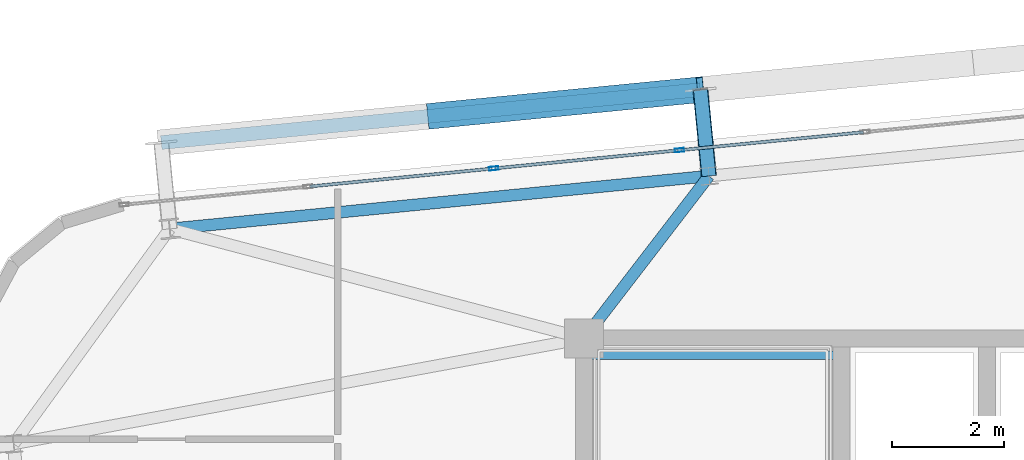
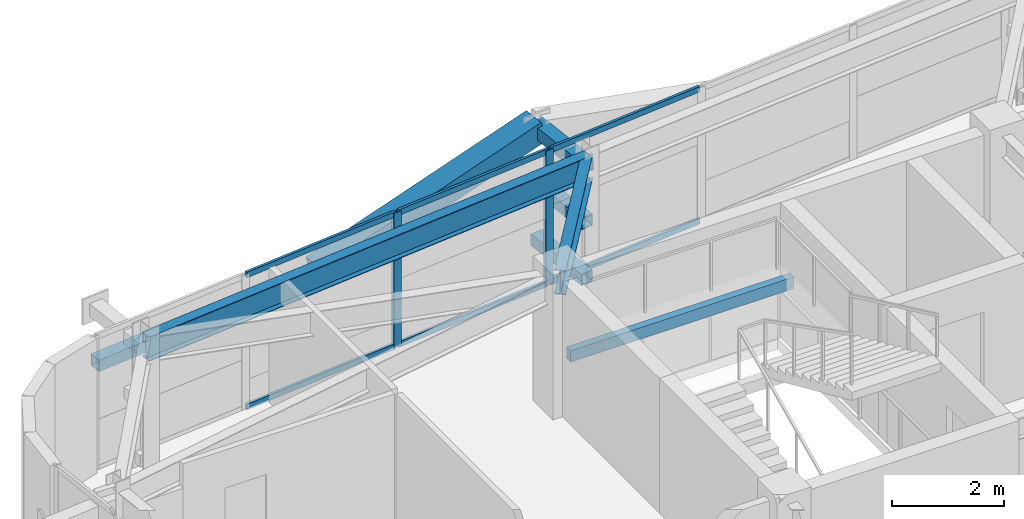
# One storey, part 28 of 52: 13 members, 3 beams, 1 element without a shape of its own.
"""IFC4 building model written with IfcOpenShell, lengths in metres."""

from ifc_helpers import new_model, si_unit, direction, frame, origin, origin_2d, place, context, subcontext, project, spatial, hollow_rectangle, i_section, extrude, source, transform, mapped, material, layer, layer_set, material_profile, profile_set, type_object, element, aggregate, save


model = new_model("IFC4")

# Units and contexts
model_context = context("Model", 3, precision=1e-05, world=origin(), true_north=direction((0.0, 1.0)))
body_context = subcontext(model_context, "Body", "Model", "MODEL_VIEW")
ifc_project = project(units=[si_unit("LENGTHUNIT", "METRE"), si_unit("AREAUNIT", "SQUARE_METRE"), si_unit("VOLUMEUNIT", "CUBIC_METRE"), si_unit("PLANEANGLEUNIT", "RADIAN"), si_unit("MASSUNIT", "GRAM", prefix="KILO")], contexts=[model_context])

# Site, building, storey
site_placement = place(None, origin())
site = spatial("IfcSite", under=ifc_project, at=site_placement, CompositionType="ELEMENT")
building_placement = place(site_placement, origin())
building = spatial("IfcBuilding", under=site, at=building_placement, Name="Taldren Reach Tower", CompositionType="ELEMENT")
storey_placement = place(building_placement, frame((0.0, 0.0, 74.550048828125)))
storey = spatial("IfcBuildingStorey", under=building, at=storey_placement, Name="L22", CompositionType="ELEMENT", Elevation=74.550048828125)

# Beams
ifc_material_1 = material(Name="Steel Gr 350 (350PLUS)", Category="steel")
ifc_material_profile_1 = material_profile(ifc_material_1, i_section(OverallWidth=0.208984375, OverallDepth=0.528076171875, WebThickness=0.009521484375, FlangeThickness=0.01318359375, at=origin_2d()), Name="530UB82.0")
ifc_profile_set_1 = profile_set([ifc_material_profile_1], Name="Steel Gr 350 (350PLUS)")
beam_type_1 = type_object("IfcBeamType", Name="SP-UB530B", PredefinedType="SPANDREL", material=ifc_profile_set_1)
shared_shape_1 = source(origin(), body_context, "Body", "SweptSolid", [
    extrude(i_section(OverallWidth=0.208984375, OverallDepth=0.528076171875, WebThickness=0.009521484375, FlangeThickness=0.01318359375, at=origin_2d()), origin(), (0.0, 0.0, 1.0), 9.679931640625),
])
beam_1_placement = place(storey_placement, frame((21.230712890625, 34.9013671875, 2.666015625), z_axis=(-0.995227612658, -0.097580730699, 0.0), x_axis=(0.097580730699, -0.995227612658, 0.0)))
element("IfcBeam", 1, at=beam_1_placement, inside=storey, type_object=beam_type_1, Name="Perimeter spandrel B2 N2-N1 L22", PredefinedType="SPANDREL", context=body_context, shape_type="MappedRepresentation", body=[
    mapped(shared_shape_1, transform((0.0, 0.0, 0.0), scale=1.0)),
])
ifc_material_profile_2 = material_profile(ifc_material_1, i_section(OverallWidth=0.208984375, OverallDepth=0.532958984375, WebThickness=0.01025390625, FlangeThickness=0.015625, at=origin_2d()), Name="530UB92.4")
ifc_profile_set_2 = profile_set([ifc_material_profile_2], Name="Steel Gr 350 (350PLUS)")
beam_type_2 = type_object("IfcBeamType", Name="BM-UB530A", PredefinedType="BEAM", material=ifc_profile_set_2)
shared_shape_2 = source(origin(), body_context, "Body", "SweptSolid", [
    extrude(i_section(OverallWidth=0.208984375, OverallDepth=0.532958984375, WebThickness=0.01025390625, FlangeThickness=0.015625, at=origin_2d()), origin(), (0.0, 0.0, 1.0), 3.65966796875),
])
beam_2_placement = place(storey_placement, frame((19.0, 32.0, 2.663330078125), z_axis=(0.609520535722, 0.792770279799, 0.0), x_axis=(-0.792770279799, 0.609520535722, 0.0)))
element("IfcBeam", 2, at=beam_2_placement, inside=storey, type_object=beam_type_2, Name="Primary floor girder B2-N2 L22", PredefinedType="BEAM", context=body_context, shape_type="MappedRepresentation", body=[
    mapped(shared_shape_2, transform((0.0, 0.0, 0.0), scale=1.0)),
])

# Members
ifc_material_2 = material(Name="Steel Gr 450 (C450L0)", Category="steel")
ifc_material_profile_3 = material_profile(ifc_material_2, hollow_rectangle(XDim=0.27490234375, YDim=0.27490234375, WallThickness=0.00927734375, at=origin_2d()), Name="275x275x9.3SHS")
ifc_profile_set_3 = profile_set([ifc_material_profile_3], Name="Steel Gr 450 (C450L0)")
member_type_1 = type_object("IfcMemberType", Name="MB-TIE273", PredefinedType="STRUT", material=ifc_profile_set_3)
shared_shape_3 = source(origin(), body_context, "Body", "SweptSolid", [
    extrude(hollow_rectangle(XDim=0.27490234375, YDim=0.27490234375, WallThickness=0.00927734375, at=origin_2d()), origin(), (0.0, 0.0, 1.0), 1.550048828125),
])
member_1_placement = place(storey_placement, frame((21.230712890625, 34.9013671875, 2.64990234375), z_axis=(-0.097647892962, 0.9952210252, 0.0), x_axis=(-0.9952210252, -0.097647892962, 0.0)))
element("IfcMember", 3, at=member_1_placement, inside=storey, type_object=member_type_1, Name="Exoskeleton diaphragm tie strut B2-N2 L22", PredefinedType="STRUT", context=body_context, shape_type="MappedRepresentation", body=[
    mapped(shared_shape_3, transform((0.0, 0.0, 0.0), scale=1.0)),
])
ifc_material_profile_4 = material_profile(ifc_material_2, hollow_rectangle(XDim=0.4599609375, YDim=0.4599609375, WallThickness=0.01611328125, at=origin_2d()), Name="460x460x16.0SHS")
ifc_profile_set_4 = profile_set([ifc_material_profile_4], Name="Steel Gr 450 (C450L0)")
member_type_2 = type_object("IfcMemberType", Name="MB-EXO457", PredefinedType="BRACE", material=ifc_profile_set_4)
shared_shape_4 = source(origin(), body_context, "Body", "SweptSolid", [
    extrude(hollow_rectangle(XDim=0.4599609375, YDim=0.4599609375, WallThickness=0.01611328125, at=origin_2d()), origin(), (0.0, 0.0, 1.0), 4.990234375),
])
member_2_placement = place(storey_placement, frame((16.262451171875, 35.9716796875, 1.43505859375), z_axis=(0.965282554799, 0.094669120301, 0.243448859234), x_axis=(-0.097605711627, 0.995225162995, 0.0)))
element("IfcMember", 4, at=member_2_placement, inside=storey, type_object=member_type_2, Name="Exoskeleton Diagrid Brace B2-N1 L22", PredefinedType="BRACE", context=body_context, shape_type="MappedRepresentation", body=[
    mapped(shared_shape_4, transform((0.0, 0.0, 0.0), scale=1.0)),
])
ifc_material_3 = material(Name="Steel Gr 350 (C350L0)", Category="steel")
ifc_material_profile_5 = material_profile(ifc_material_3, hollow_rectangle(XDim=0.25, YDim=0.25, WallThickness=0.010009765625, at=origin_2d()), Name="250x250x10.0SHS")
ifc_profile_set_5 = profile_set([ifc_material_profile_5], Name="Steel Gr 350 (C350L0)")
member_type_3 = type_object("IfcMemberType", Name="MB-POST250", PredefinedType="POST", material=ifc_profile_set_5)
shared_shape_5 = source(origin(), body_context, "Body", "SweptSolid", [
    extrude(hollow_rectangle(XDim=0.25, YDim=0.25, WallThickness=0.010009765625, at=origin_2d()), origin(), (0.0, 0.0, 1.0), 9.679931640625),
])
member_3_placement = place(storey_placement, frame((11.445556640625, 35.49951171875, 1.43505859375), z_axis=(0.995227612658, 0.097580730699, 0.0), x_axis=(-0.097580730699, 0.995227612658, 0.0)))
element("IfcMember", 5, at=member_3_placement, inside=storey, type_object=member_type_3, Name="Exoskeleton mid-height ring chord B2-N1 L22", PredefinedType="POST", context=body_context, shape_type="MappedRepresentation", body=[
    mapped(shared_shape_5, transform((0.0, 0.0, 0.0), scale=1.0)),
])
shared_shape_6 = source(origin(), body_context, "Body", "SweptSolid", [
    extrude(hollow_rectangle(XDim=0.25, YDim=0.25, WallThickness=0.010009765625, at=origin_2d()), origin(), (0.0, 0.0, 1.0), 1.550048828125),
])
for number, where, z_axis, x_axis, name in (
    (6, (21.230712890625, 34.9013671875, 0.219970703125), (-0.097647892962, 0.9952210252, 0.0), (-0.9952210252, -0.097647892962, 0.0), "Exoskeleton base diaphragm tie strut B2-N2 L22"),
    (7, (21.230712890625, 34.9013671875, 1.43505859375), (-0.097647892962, 0.9952210252, 0.0), (-0.9952210252, -0.097647892962, 0.0), "Exoskeleton mid-tier diaphragm tie B2-N2 L22"),
):
    element("IfcMember", number, at=place(storey_placement, frame(where, z_axis=z_axis, x_axis=x_axis)), inside=storey, type_object=member_type_3, Name=name, PredefinedType="POST", context=body_context, shape_type="MappedRepresentation", body=[
        mapped(shared_shape_6, transform((0.0, 0.0, 0.0), scale=1.0)),
    ])

# Curtain wall, members
ifc_material_4 = material(Name="Aluminium and Low-E Glass Unitised System", Category="aluminium")
ifc_layer = layer(ifc_material_4, 0.159912109375)
ifc_layer_set = layer_set([ifc_layer], Name="Aluminium and Low-E Glass Unitised System")
curtain_wall_type = type_object("IfcCurtainWallType", Name="CW-SYS-3", PredefinedType="NOTDEFINED", material=ifc_layer_set)
curtain_wall_placement = place(storey_placement, origin())
curtain_wall = element("IfcCurtainWall", 8, at=curtain_wall_placement, inside=storey, type_object=curtain_wall_type, Name="Unitised curtain wall CW-L22-N", PredefinedType="NOTDEFINED")
ifc_material_5 = material(Name="Anodised Aluminium 6063-T6", Category="aluminium")
ifc_material_profile_6 = material_profile(ifc_material_5, hollow_rectangle(XDim=0.06494140625, YDim=0.1650390625, WallThickness=0.00390625, at=origin_2d()), Name="ALU-165x65x4RHS")
ifc_profile_set_6 = profile_set([ifc_material_profile_6], Name="Anodised Aluminium 6063-T6")
member_type_4 = type_object("IfcMemberType", Name="CW-MUL-165", PredefinedType="MULLION", material=ifc_profile_set_6)
shared_shape_7 = source(origin(), body_context, "Body", "SweptSolid", [
    extrude(hollow_rectangle(XDim=0.06494140625, YDim=0.1650390625, WallThickness=0.00390625, at=origin_2d()), origin(), (0.0, 0.0, 1.0), 2.929931640625),
])
member_4_placement = place(storey_placement, frame((20.703125, 35.3623046875, 0.0), z_axis=(0.0, 0.0, 1.0), x_axis=(0.097582999046, -0.995227390247, 0.0)))
member_4 = element("IfcMember", 9, at=member_4_placement, type_object=member_type_4, Name="CW-3 mullion 13", PredefinedType="MULLION", context=body_context, shape_type="MappedRepresentation", body=[
    mapped(shared_shape_7, transform((0.0, 0.0, 0.0), scale=1.0)),
])
member_5_placement = place(storey_placement, frame((17.3857421875, 35.036865234375, 0.0), z_axis=(0.0, 0.0, 1.0), x_axis=(0.097582999046, -0.995227390247, 0.0)))
member_5 = element("IfcMember", 10, at=member_5_placement, type_object=member_type_4, Name="CW-3 mullion 14", PredefinedType="MULLION", context=body_context, shape_type="MappedRepresentation", body=[
    mapped(shared_shape_7, transform((0.0, 0.0, 0.0), scale=1.0)),
])
ifc_material_profile_7 = material_profile(ifc_material_5, hollow_rectangle(XDim=0.054931640625, YDim=0.1201171875, WallThickness=0.0029296875, at=origin_2d()), Name="ALU-120x55x3RHS")
ifc_profile_set_7 = profile_set([ifc_material_profile_7], Name="Anodised Aluminium 6063-T6")
member_type_5 = type_object("IfcMemberType", Name="CW-TRN-135", PredefinedType="USERDEFINED", material=ifc_profile_set_7)
shared_shape_8 = source(origin(), body_context, "Body", "SweptSolid", [
    extrude(hollow_rectangle(XDim=0.054931640625, YDim=0.1201171875, WallThickness=0.0029296875, at=origin_2d()), origin(), (0.0, 0.0, 1.0), 3.268310546875),
])
member_6_placement = place(storey_placement, frame((23.98828125, 35.684326171875, 0.02734375), z_axis=(-0.99522980512, -0.097558367146, 0.0), x_axis=(0.097558367146, -0.99522980512, 0.0)))
member_6 = element("IfcMember", 11, at=member_6_placement, type_object=member_type_5, Name="CW-3 transom 12.1", ObjectType="TRANSOM", PredefinedType="USERDEFINED", context=body_context, shape_type="MappedRepresentation", body=[
    mapped(shared_shape_8, transform((0.0, 0.0, 0.0), scale=1.0)),
])
member_7_placement = place(storey_placement, frame((23.98828125, 35.684326171875, 2.90234375), z_axis=(-0.99522980512, -0.097558367146, 0.0), x_axis=(0.097558367146, -0.99522980512, 0.0)))
member_7 = element("IfcMember", 12, at=member_7_placement, type_object=member_type_5, Name="CW-3 transom 12.2", ObjectType="TRANSOM", PredefinedType="USERDEFINED", context=body_context, shape_type="MappedRepresentation", body=[
    mapped(shared_shape_8, transform((0.0, 0.0, 0.0), scale=1.0)),
])
member_8_placement = place(storey_placement, frame((17.353271484375, 35.03369140625, 0.02734375), z_axis=(-0.99522980512, -0.097558367146, 0.0), x_axis=(0.097558367146, -0.99522980512, 0.0)))
member_8 = element("IfcMember", 13, at=member_8_placement, type_object=member_type_5, Name="CW-3 transom 14.1", ObjectType="TRANSOM", PredefinedType="USERDEFINED", context=body_context, shape_type="MappedRepresentation", body=[
    mapped(shared_shape_8, transform((0.0, 0.0, 0.0), scale=1.0)),
])
member_9_placement = place(storey_placement, frame((17.353271484375, 35.03369140625, 2.90234375), z_axis=(-0.99522980512, -0.097558367146, 0.0), x_axis=(0.097558367146, -0.99522980512, 0.0)))
member_9 = element("IfcMember", 14, at=member_9_placement, type_object=member_type_5, Name="CW-3 transom 14.2", ObjectType="TRANSOM", PredefinedType="USERDEFINED", context=body_context, shape_type="MappedRepresentation", body=[
    mapped(shared_shape_8, transform((0.0, 0.0, 0.0), scale=1.0)),
])
shared_shape_9 = source(origin(), body_context, "Body", "SweptSolid", [
    extrude(hollow_rectangle(XDim=0.054931640625, YDim=0.1201171875, WallThickness=0.0029296875, at=origin_2d()), origin(), (0.0, 0.0, 1.0), 3.2685546875),
])
member_10_placement = place(storey_placement, frame((20.6708984375, 35.359130859375, 0.02734375), z_axis=(-0.995223261527, -0.09762509778, 0.0), x_axis=(0.09762509778, -0.995223261527, 0.0)))
member_10 = element("IfcMember", 15, at=member_10_placement, type_object=member_type_5, Name="CW-3 transom 13.1", ObjectType="TRANSOM", PredefinedType="USERDEFINED", context=body_context, shape_type="MappedRepresentation", body=[
    mapped(shared_shape_9, transform((0.0, 0.0, 0.0), scale=1.0)),
])
member_11_placement = place(storey_placement, frame((20.6708984375, 35.359130859375, 2.90234375), z_axis=(-0.995223261527, -0.09762509778, 0.0), x_axis=(0.09762509778, -0.995223261527, 0.0)))
member_11 = element("IfcMember", 16, at=member_11_placement, type_object=member_type_5, Name="CW-3 transom 13.2", ObjectType="TRANSOM", PredefinedType="USERDEFINED", context=body_context, shape_type="MappedRepresentation", body=[
    mapped(shared_shape_9, transform((0.0, 0.0, 0.0), scale=1.0)),
])
aggregate(curtain_wall, [member_4, member_5, member_6, member_7, member_10, member_11, member_8, member_9])

# Beam
ifc_material_profile_8 = material_profile(ifc_material_3, hollow_rectangle(XDim=0.14990234375, YDim=0.25, WallThickness=0.009033203125, at=origin_2d()), Name="250x150x9.0RHS")
ifc_profile_set_8 = profile_set([ifc_material_profile_8], Name="Steel Gr 350 (C350L0)")
beam_type_3 = type_object("IfcBeamType", Name="LN-RHS250", PredefinedType="LINTEL", material=ifc_profile_set_8)
shared_shape_10 = source(origin(), body_context, "Body", "SweptSolid", [
    extrude(hollow_rectangle(XDim=0.14990234375, YDim=0.25, WallThickness=0.009033203125, at=origin_2d()), origin(), (0.0, 0.0, 1.0), 4.60009765625),
])
beam_3_placement = place(storey_placement, frame((19.0, 31.699951171875, 1.27001953125), z_axis=(1.0, 0.0, 0.0), x_axis=(0.0, 1.0, 0.0)))
element("IfcBeam", 17, at=beam_3_placement, inside=storey, type_object=beam_type_3, Name="Stair half-landing support beam ST1-L22-2", PredefinedType="LINTEL", context=body_context, shape_type="MappedRepresentation", body=[
    mapped(shared_shape_10, transform((0.0, 0.0, 0.0), scale=1.0)),
])

save(model, "model.ifc")
